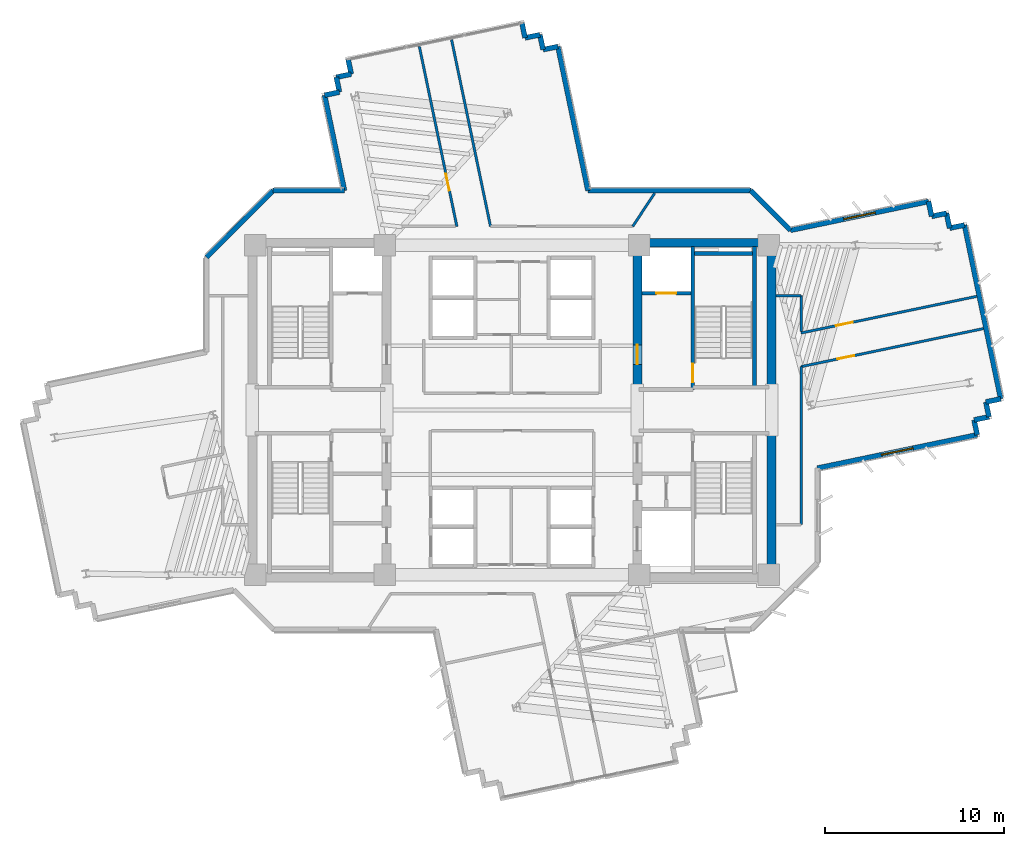
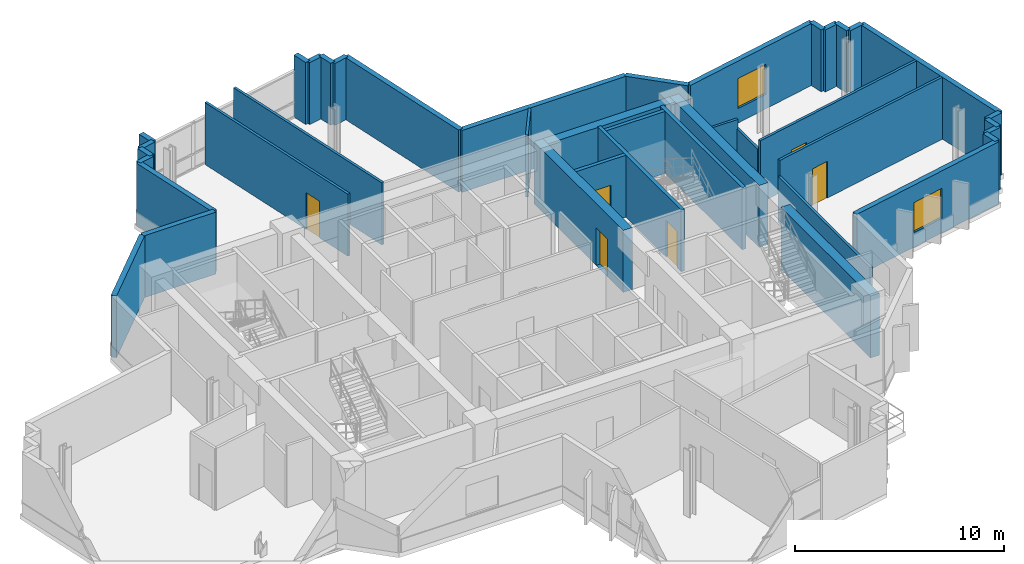
# One storey, part 10 of 14: 41 walls, 6 doors, 2 windows, 8 openings.
"""IFC4 building model written with IfcOpenShell, lengths in metres."""

from ifc_helpers import new_model, si_unit, direction, frame, frame_2d, origin, place, context, subcontext, project, spatial, rectangle, extrude, source, transform, mapped, material, layer, layer_set, type_object, element, fill, save


model = new_model("IFC4")

# Units and contexts
model_context = context("Model", 3, precision=1e-05, world=origin(), true_north=direction((0.0, 1.0)))
body_context = subcontext(model_context, "Body", "Model", "MODEL_VIEW")
ifc_project = project(units=[si_unit("LENGTHUNIT", "METRE"), si_unit("AREAUNIT", "SQUARE_METRE"), si_unit("VOLUMEUNIT", "CUBIC_METRE"), si_unit("PLANEANGLEUNIT", "RADIAN"), si_unit("MASSUNIT", "GRAM", prefix="KILO")], contexts=[model_context])

# Site, building, storey
site_placement = place(None, origin())
site = spatial("IfcSite", under=ifc_project, at=site_placement, CompositionType="ELEMENT")
building_placement = place(site_placement, origin())
building = spatial("IfcBuilding", under=site, at=building_placement, Name="Zahravan Cultural Tower", CompositionType="ELEMENT")
storey_placement = place(building_placement, frame((0.0, 0.0, 159.0)))
storey = spatial("IfcBuildingStorey", under=building, at=storey_placement, Name="L36", CompositionType="ELEMENT", Elevation=159.0)

# Wall, opening, door
ifc_material_1 = material(Name="Concrete C60/75", Category="concrete")
ifc_layer_1 = layer(ifc_material_1, 0.5)
ifc_layer_set_1 = layer_set([ifc_layer_1], Name="Concrete C60/75")
wall_type_1 = type_object("IfcWallType", Name="CW-SHEAR-500-C60", PredefinedType="SHEAR", material=ifc_layer_set_1)
wall_1_placement = place(storey_placement, frame((43.0, 28.050048828125, 0.0), z_axis=(0.0, 0.0, 1.0), x_axis=(0.0, 1.0, 0.0)))
wall_1 = element("IfcWall", 1, at=wall_1_placement, inside=storey, type_object=wall_type_1, Name="L36 Core Shear Wall CW-E-WN-L36", PredefinedType="SHEAR", context=body_context, shape_type="SweptSolid", body=[
    extrude(rectangle(XDim=8.550048828125, YDim=0.5, at=frame_2d((4.27490234375, 0.0))), origin(), (0.0, 0.0, 1.0), 3.6201171875),
])
opening_1_placement = place(wall_1_placement, frame((1.5, 0.0, 0.0)))
opening_1 = element("IfcOpeningElement", 2, at=opening_1_placement, cuts=wall_1, Name="Opening D-L36-06", PredefinedType="OPENING", context=body_context, shape_type="SweptSolid", body=[
    extrude(rectangle(XDim=1.10009765625, YDim=2.199951171875, at=frame_2d((0.550048828125, 1.10009765625))), frame((0.0, 0.260009765625, 0.0), z_axis=(0.0, -1.0, 0.0), x_axis=(1.0, 0.0, 0.0)), (0.0, 0.0, 1.0), 0.52001953125),
])
ifc_material_2 = material(Name="Steel ASTM A572 Grade 50", Category="steel")
door_type_1 = type_object("IfcDoorType", Name="DR-LOBBY-1100", OperationType="NOTDEFINED", PredefinedType="DOOR", material=ifc_material_2)
shared_shape_1 = source(origin(), body_context, "Body", "SweptSolid", [
    extrude(rectangle(XDim=1.10009765625, YDim=2.199951171875, at=frame_2d((0.550048828125, 1.10009765625))), frame((0.0, 0.02490234375, 0.0), z_axis=(0.0, -1.0, 0.0), x_axis=(1.0, 0.0, 0.0)), (0.0, 0.0, 1.0), 0.050048828125),
])
door_1_placement = place(opening_1_placement, origin())
door_1 = element("IfcDoor", 3, at=door_1_placement, inside=storey, type_object=door_type_1, Name="L36 Door D-L36-06", OperationType="SINGLE_SWING_LEFT", OverallHeight=2.199951171875, OverallWidth=1.10009765625, PredefinedType="DOOR", context=body_context, shape_type="MappedRepresentation", body=[
    mapped(shared_shape_1, transform((0.0, 0.0, 0.0), x_axis=(1.0, 0.0, 0.0), y_axis=(0.0, 1.0, 0.0), z_axis=(0.0, 0.0, 1.0), scale=1.0)),
])
fill(opening_1, door_1)

# Wall, opening, window
ifc_material_3 = material(Name="Precast concrete C40/50", Category="concrete")
ifc_layer_2 = layer(ifc_material_3, 0.280029296875)
ifc_layer_set_2 = layer_set([ifc_layer_2], Name="Precast concrete C40/50")
wall_type_2 = type_object("IfcWallType", Name="EW-TC-280", PredefinedType="SOLIDWALL", material=ifc_layer_set_2)
wall_2_placement = place(storey_placement, frame((51.5546875, 37.047119140625, 0.0), z_axis=(0.0, 0.0, 1.0), x_axis=(0.978938136474, 0.204157108515, 0.0)))
wall_2 = element("IfcWall", 4, at=wall_2_placement, inside=storey, type_object=wall_type_2, Name="L36 Exterior Masonry Frame Wall 01", PredefinedType="SOLIDWALL", context=body_context, shape_type="SweptSolid", body=[
    extrude(rectangle(XDim=7.8818359375, YDim=0.280029296875, at=frame_2d((3.94091796875, 0.0))), origin(), (0.0, 0.0, 1.0), 3.6201171875),
])
opening_2_placement = place(wall_2_placement, frame((3.041015625, 0.0, 0.85009765625)))
opening_2 = element("IfcOpeningElement", 5, at=opening_2_placement, cuts=wall_2, Name="Opening WN-02", PredefinedType="OPENING", context=body_context, shape_type="SweptSolid", body=[
    extrude(rectangle(XDim=1.800048828125, YDim=1.75, at=frame_2d((0.89990234375, 0.875))), frame((0.0, 0.14990234375, 0.0), z_axis=(0.0, -1.0, 0.0), x_axis=(1.0, 0.0, 0.0)), (0.0, 0.0, 1.0), 0.300048828125),
])
ifc_material_4 = material(Name="Low-E solar-control double glazing", Category="glass")
window_type = type_object("IfcWindowType", Name="WN-REC-1800X1750", PartitioningType="DOUBLE_PANEL_VERTICAL", PredefinedType="WINDOW", material=ifc_material_4)
shared_shape_2 = source(origin(), body_context, "Body", "SweptSolid", [
    extrude(rectangle(XDim=1.800048828125, YDim=1.75, at=frame_2d((0.89990234375, 0.875))), frame((0.0, 0.030029296875, 0.0), z_axis=(0.0, -1.0, 0.0), x_axis=(1.0, 0.0, 0.0)), (0.0, 0.0, 1.0), 0.06005859375),
])
window_1_placement = place(opening_2_placement, origin())
window_1 = element("IfcWindow", 6, at=window_1_placement, inside=storey, type_object=window_type, Name="L36 Recessed Solar Window 01", OverallHeight=1.75, OverallWidth=1.800048828125, PartitioningType="DOUBLE_PANEL_VERTICAL", PredefinedType="WINDOW", context=body_context, shape_type="MappedRepresentation", body=[
    mapped(shared_shape_2, transform((0.0, 0.0, 0.0), x_axis=(1.0, 0.0, 0.0), y_axis=(0.0, 1.0, 0.0), z_axis=(0.0, 0.0, 1.0), scale=1.0)),
])
fill(opening_2, window_1)

wall_3_placement = place(storey_placement, frame((61.98974609375, 25.61669921875, 0.0), z_axis=(0.0, 0.0, 1.0), x_axis=(-0.978937646314, -0.204159458828, 0.0)))
wall_3 = element("IfcWall", 7, at=wall_3_placement, inside=storey, type_object=wall_type_2, Name="L36 Exterior Masonry Frame Wall 11", PredefinedType="SOLIDWALL", context=body_context, shape_type="SweptSolid", body=[
    extrude(rectangle(XDim=9.121826171875, YDim=0.280029296875, at=frame_2d((4.56103515625, 0.0))), origin(), (0.0, 0.0, 1.0), 3.6201171875),
])
opening_3_placement = place(wall_3_placement, frame((3.660888671875, 0.0, 0.85009765625)))
opening_3 = element("IfcOpeningElement", 8, at=opening_3_placement, cuts=wall_3, Name="Opening WN-02", PredefinedType="OPENING", context=body_context, shape_type="SweptSolid", body=[
    extrude(rectangle(XDim=1.800048828125, YDim=1.75, at=frame_2d((0.89990234375, 0.875))), frame((0.0, 0.14990234375, 0.0), z_axis=(0.0, -1.0, 0.0), x_axis=(1.0, 0.0, 0.0)), (0.0, 0.0, 1.0), 0.300048828125),
])
window_2_placement = place(opening_3_placement, origin())
window_2 = element("IfcWindow", 9, at=window_2_placement, inside=storey, type_object=window_type, Name="L36 Recessed Solar Window 02", OverallHeight=1.75, OverallWidth=1.800048828125, PartitioningType="DOUBLE_PANEL_VERTICAL", PredefinedType="WINDOW", context=body_context, shape_type="MappedRepresentation", body=[
    mapped(shared_shape_2, transform((0.0, 0.0, 0.0), x_axis=(1.0, 0.0, 0.0), y_axis=(0.0, 1.0, 0.0), z_axis=(0.0, 0.0, 1.0), scale=1.0)),
])
fill(opening_3, window_2)

# Wall, opening, door
ifc_material_5 = material(Name="Gypsum plasterboard partition")
ifc_layer_3 = layer(ifc_material_5, 0.139892578125)
ifc_layer_set_3 = layer_set([ifc_layer_3], Name="Gypsum plasterboard partition")
wall_type_3 = type_object("IfcWallType", Name="W-PART-140", PredefinedType="PARTITIONING", material=ifc_layer_set_3)
wall_4_placement = place(storey_placement, frame((30.823486328125, 47.316162109375, 0.0), z_axis=(0.0, 0.0, 1.0), x_axis=(0.204130779611, -0.978943626985, 0.0)))
wall_4 = element("IfcWall", 10, at=wall_4_placement, inside=storey, type_object=wall_type_3, Name="L36 Interior Wall 091", PredefinedType="PARTITIONING", context=body_context, shape_type="SweptSolid", body=[
    extrude(rectangle(XDim=10.2724609375, YDim=0.139892578125, at=frame_2d((5.13623046875, 0.0))), origin(), (0.0, 0.0, 1.0), 3.6201171875),
])
opening_4_placement = place(wall_4_placement, frame((7.271484375, 0.0, 0.0)))
opening_4 = element("IfcOpeningElement", 11, at=opening_4_placement, cuts=wall_4, Name="Opening D-L36-23", PredefinedType="OPENING", context=body_context, shape_type="SweptSolid", body=[
    extrude(rectangle(XDim=0.949951171875, YDim=2.14990234375, at=frame_2d((0.47509765625, 1.074951171875))), frame((0.0, 0.079833984375, 0.0), z_axis=(0.0, -1.0, 0.0), x_axis=(1.0, 0.0, 0.0)), (0.0, 0.0, 1.0), 0.159912109375),
])
ifc_material_6 = material(Name="Anodised bronze-aluminium mullion", Category="aluminium")
door_type_2 = type_object("IfcDoorType", Name="DR-ROOM-950", OperationType="NOTDEFINED", PredefinedType="DOOR", material=ifc_material_6)
shared_shape_3 = source(origin(), body_context, "Body", "SweptSolid", [
    extrude(rectangle(XDim=0.949951171875, YDim=2.14990234375, at=frame_2d((0.47509765625, 1.074951171875))), frame((0.0, 0.02490234375, 0.0), z_axis=(0.0, -1.0, 0.0), x_axis=(1.0, 0.0, 0.0)), (0.0, 0.0, 1.0), 0.050048828125),
])
door_2_placement = place(opening_4_placement, origin())
door_2 = element("IfcDoor", 12, at=door_2_placement, inside=storey, type_object=door_type_2, Name="L36 Door D-L36-23", OperationType="SINGLE_SWING_RIGHT", OverallHeight=2.14990234375, OverallWidth=0.949951171875, PredefinedType="DOOR", context=body_context, shape_type="MappedRepresentation", body=[
    mapped(shared_shape_3, transform((0.0, 0.0, 0.0), x_axis=(1.0, 0.0, 0.0), y_axis=(0.0, 1.0, 0.0), z_axis=(0.0, 0.0, 1.0), scale=1.0)),
])
fill(opening_4, door_2)

wall_5_placement = place(storey_placement, frame((52.150146484375, 29.42822265625, 0.0), z_axis=(0.0, 0.0, 1.0), x_axis=(0.978935516763, 0.204169669688, 0.0)))
wall_5 = element("IfcWall", 13, at=wall_5_placement, inside=storey, type_object=wall_type_3, Name="L36 Interior Wall 095", PredefinedType="PARTITIONING", context=body_context, shape_type="SweptSolid", body=[
    extrude(rectangle(XDim=10.4091796875, YDim=0.139892578125, at=frame_2d((5.20458984375, 0.0))), origin(), (0.0, 0.0, 1.0), 3.6201171875),
])
opening_5_placement = place(wall_5_placement, frame((2.0810546875, 0.0, 0.0)))
opening_5 = element("IfcOpeningElement", 14, at=opening_5_placement, cuts=wall_5, Name="Opening D-L36-20", PredefinedType="OPENING", context=body_context, shape_type="SweptSolid", body=[
    extrude(rectangle(XDim=0.949951171875, YDim=2.14990234375, at=frame_2d((0.47509765625, 1.074951171875))), frame((0.0, 0.079833984375, 0.0), z_axis=(0.0, -1.0, 0.0), x_axis=(1.0, 0.0, 0.0)), (0.0, 0.0, 1.0), 0.159912109375),
])
door_3_placement = place(opening_5_placement, origin())
door_3 = element("IfcDoor", 15, at=door_3_placement, inside=storey, type_object=door_type_2, Name="L36 Door D-L36-20", OperationType="SINGLE_SWING_LEFT", OverallHeight=2.14990234375, OverallWidth=0.949951171875, PredefinedType="DOOR", context=body_context, shape_type="MappedRepresentation", body=[
    mapped(shared_shape_3, transform((0.0, 0.0, 0.0), x_axis=(1.0, 0.0, 0.0), y_axis=(0.0, 1.0, 0.0), z_axis=(0.0, 0.0, 1.0), scale=1.0)),
])
fill(opening_5, door_3)

wall_6_placement = place(storey_placement, frame((61.964599609375, 33.3544921875, 0.0), z_axis=(0.0, 0.0, 1.0), x_axis=(-0.978942518705, -0.204136094483, 0.0)))
wall_6 = element("IfcWall", 16, at=wall_6_placement, inside=storey, type_object=wall_type_3, Name="L36 Interior Wall 097", PredefinedType="PARTITIONING", context=body_context, shape_type="SweptSolid", body=[
    extrude(rectangle(XDim=10.02587890625, YDim=0.139892578125, at=frame_2d((5.012939453125, 0.0))), origin(), (0.0, 0.0, 1.0), 3.6201171875),
])
opening_6_placement = place(wall_6_placement, frame((7.0791015625, 0.0, 0.0)))
opening_6 = element("IfcOpeningElement", 17, at=opening_6_placement, cuts=wall_6, Name="Opening D-L36-21", PredefinedType="OPENING", context=body_context, shape_type="SweptSolid", body=[
    extrude(rectangle(XDim=0.949951171875, YDim=2.14990234375, at=frame_2d((0.47509765625, 1.074951171875))), frame((0.0, 0.079833984375, 0.0), z_axis=(0.0, -1.0, 0.0), x_axis=(1.0, 0.0, 0.0)), (0.0, 0.0, 1.0), 0.159912109375),
])
door_4_placement = place(opening_6_placement, origin())
door_4 = element("IfcDoor", 18, at=door_4_placement, inside=storey, type_object=door_type_2, Name="L36 Door D-L36-21", OperationType="SINGLE_SWING_RIGHT", OverallHeight=2.14990234375, OverallWidth=0.949951171875, PredefinedType="DOOR", context=body_context, shape_type="MappedRepresentation", body=[
    mapped(shared_shape_3, transform((0.0, 0.0, 0.0), x_axis=(1.0, 0.0, 0.0), y_axis=(0.0, 1.0, 0.0), z_axis=(0.0, 0.0, 1.0), scale=1.0)),
])
fill(opening_6, door_4)

ifc_material_7 = material(Name="Concrete C45/55", Category="concrete")
ifc_layer_4 = layer(ifc_material_7, 0.199951171875)
ifc_layer_set_4 = layer_set([ifc_layer_4], Name="Concrete C45/55")
wall_type_4 = type_object("IfcWallType", Name="W-SHAFT-200", PredefinedType="SOLIDWALL", material=ifc_layer_set_4)
wall_7_placement = place(storey_placement, frame((46.10009765625, 28.14990234375, 0.0), z_axis=(0.0, 0.0, 1.0), x_axis=(0.0, 1.0, 0.0)))
wall_7 = element("IfcWall", 19, at=wall_7_placement, inside=storey, type_object=wall_type_4, Name="L36 Interior Wall 008", PredefinedType="SOLIDWALL", context=body_context, shape_type="SweptSolid", body=[
    extrude(rectangle(XDim=8.0, YDim=0.199951171875, at=frame_2d((4.0, 0.0))), origin(), (0.0, 0.0, 1.0), 3.6201171875),
])
opening_7_placement = place(wall_7_placement, frame((0.39990234375, 0.0, 0.0)))
opening_7 = element("IfcOpeningElement", 20, at=opening_7_placement, cuts=wall_7, Name="Opening D-L36-02", PredefinedType="OPENING", context=body_context, shape_type="SweptSolid", body=[
    extrude(rectangle(XDim=1.050048828125, YDim=2.14990234375, at=frame_2d((0.52490234375, 1.074951171875))), frame((0.0, 0.10986328125, 0.0), z_axis=(0.0, -1.0, 0.0), x_axis=(1.0, 0.0, 0.0)), (0.0, 0.0, 1.0), 0.219970703125),
])
door_type_3 = type_object("IfcDoorType", Name="DR-STAIR-1050", OperationType="NOTDEFINED", PredefinedType="DOOR", material=ifc_material_2)
shared_shape_4 = source(origin(), body_context, "Body", "SweptSolid", [
    extrude(rectangle(XDim=1.050048828125, YDim=2.14990234375, at=frame_2d((0.52490234375, 1.074951171875))), frame((0.0, 0.02490234375, 0.0), z_axis=(0.0, -1.0, 0.0), x_axis=(1.0, 0.0, 0.0)), (0.0, 0.0, 1.0), 0.050048828125),
])
door_5_placement = place(opening_7_placement, origin())
door_5 = element("IfcDoor", 21, at=door_5_placement, inside=storey, type_object=door_type_3, Name="L36 Door D-L36-02", OperationType="SINGLE_SWING_LEFT", OverallHeight=2.14990234375, OverallWidth=1.050048828125, PredefinedType="DOOR", context=body_context, shape_type="MappedRepresentation", body=[
    mapped(shared_shape_4, transform((0.0, 0.0, 0.0), x_axis=(1.0, 0.0, 0.0), y_axis=(0.0, 1.0, 0.0), z_axis=(0.0, 0.0, 1.0), scale=1.0)),
])
fill(opening_7, door_5)

wall_8_placement = place(storey_placement, frame((43.25, 33.52001953125, 0.0), z_axis=(0.0, 0.0, 1.0), x_axis=(1.0, 0.0, 0.0)))
wall_8 = element("IfcWall", 22, at=wall_8_placement, inside=storey, type_object=wall_type_4, Name="L36 Interior Wall 022", PredefinedType="SOLIDWALL", context=body_context, shape_type="SweptSolid", body=[
    extrude(rectangle(XDim=2.75, YDim=0.199951171875, at=frame_2d((1.375, 0.0))), origin(), (0.0, 0.0, 1.0), 3.6201171875),
])
opening_8_placement = place(wall_8_placement, frame((0.820068359375, 0.0, 0.0)))
opening_8 = element("IfcOpeningElement", 23, at=opening_8_placement, cuts=wall_8, Name="Opening LD-L36-02", PredefinedType="OPENING", context=body_context, shape_type="SweptSolid", body=[
    extrude(rectangle(XDim=1.10009765625, YDim=2.14990234375, at=frame_2d((0.550048828125, 1.074951171875))), frame((0.0, 0.10986328125, 0.0), z_axis=(0.0, -1.0, 0.0), x_axis=(1.0, 0.0, 0.0)), (0.0, 0.0, 1.0), 0.219970703125),
])
door_type_4 = type_object("IfcDoorType", Name="DR-LIFT-1100", OperationType="DOUBLE_DOOR_SLIDING", PredefinedType="DOOR", material=ifc_material_2)
shared_shape_5 = source(origin(), body_context, "Body", "SweptSolid", [
    extrude(rectangle(XDim=1.10009765625, YDim=2.14990234375, at=frame_2d((0.550048828125, 1.074951171875))), frame((0.0, 0.02490234375, 0.0), z_axis=(0.0, -1.0, 0.0), x_axis=(1.0, 0.0, 0.0)), (0.0, 0.0, 1.0), 0.050048828125),
])
door_6_placement = place(opening_8_placement, origin())
door_6 = element("IfcDoor", 24, at=door_6_placement, inside=storey, type_object=door_type_4, Name="L36 Door LD-L36-02", OperationType="DOUBLE_DOOR_SLIDING", OverallHeight=2.14990234375, OverallWidth=1.10009765625, PredefinedType="DOOR", context=body_context, shape_type="MappedRepresentation", body=[
    mapped(shared_shape_5, transform((0.0, 0.0, 0.0), x_axis=(1.0, 0.0, 0.0), y_axis=(0.0, 1.0, 0.0), z_axis=(0.0, 0.0, 1.0), scale=1.0)),
])
fill(opening_8, door_6)

# Walls
shared_shape_6 = source(origin(), body_context, "Body", "SweptSolid", [
    extrude(rectangle(XDim=8.550048828125, YDim=0.5, at=frame_2d((4.27490234375, 0.0))), origin(), (0.0, 0.0, 1.0), 3.6201171875),
])
for number, where, z_axis, x_axis, name in (
    (25, (50.5, 17.39990234375, 0.0), (0.0, 0.0, 1.0), (0.0, 1.0, 0.0), "L36 Core Shear Wall CW-E-ES-L36"),
    (26, (50.5, 28.050048828125, 0.0), (0.0, 0.0, 1.0), (0.0, 1.0, 0.0), "L36 Core Shear Wall CW-E-EN-L36"),
):
    element("IfcWall", number, at=place(storey_placement, frame(where, z_axis=z_axis, x_axis=x_axis)), inside=storey, type_object=wall_type_1, Name=name, PredefinedType="SHEAR", context=body_context, shape_type="MappedRepresentation", body=[
        mapped(shared_shape_6, transform((0.0, 0.0, 0.0), x_axis=(1.0, 0.0, 0.0), y_axis=(0.0, 1.0, 0.0), z_axis=(0.0, 0.0, 1.0), scale=1.0)),
    ])
shared_shape_7 = source(origin(), body_context, "Body", "SweptSolid", [
    extrude(rectangle(XDim=7.0, YDim=0.5, at=frame_2d((3.5, 0.0))), origin(), (0.0, 0.0, 1.0), 3.6201171875),
])
wall_9_placement = place(storey_placement, frame((43.25, 36.35009765625, 0.0), z_axis=(0.0, 0.0, 1.0), x_axis=(1.0, 0.0, 0.0)))
element("IfcWall", 27, at=wall_9_placement, inside=storey, type_object=wall_type_1, Name="L36 Core Shear Wall CW-E-N-L36", PredefinedType="SHEAR", context=body_context, shape_type="MappedRepresentation", body=[
    mapped(shared_shape_7, transform((0.0, 0.0, 0.0), x_axis=(1.0, 0.0, 0.0), y_axis=(0.0, 1.0, 0.0), z_axis=(0.0, 0.0, 1.0), scale=1.0)),
])
shared_shape_8 = source(origin(), body_context, "Body", "SweptSolid", [
    extrude(rectangle(XDim=0.85009765625, YDim=0.280029296875, at=frame_2d((0.425048828125, 0.0))), origin(), (0.0, 0.0, 1.0), 3.6201171875),
])
for number, where, z_axis, x_axis, name in (
    (28, (61.81640625, 26.448974609375, 0.0), (0.0, 0.0, 1.0), (0.203896913579, -0.97899236393, 0.0), "L36 Exterior Masonry Frame Wall 10"),
    (29, (26.186279296875, 45.59814453125, 0.0), (0.0, 0.0, 1.0), (0.97893500384, 0.204172128991, 0.0), "L36 Exterior Masonry Frame Wall 44"),
    (30, (37.735107421875, 47.138427734375, 0.0), (0.0, 0.0, 1.0), (0.97893500384, 0.204172128991, 0.0), "L36 Exterior Masonry Frame Wall 49"),
):
    element("IfcWall", number, at=place(storey_placement, frame(where, z_axis=z_axis, x_axis=x_axis)), inside=storey, type_object=wall_type_2, Name=name, PredefinedType="SOLIDWALL", context=body_context, shape_type="MappedRepresentation", body=[
        mapped(shared_shape_8, transform((0.0, 0.0, 0.0), x_axis=(1.0, 0.0, 0.0), y_axis=(0.0, 1.0, 0.0), z_axis=(0.0, 0.0, 1.0), scale=1.0)),
    ])
shared_shape_9 = source(origin(), body_context, "Body", "SweptSolid", [
    extrude(rectangle(XDim=5.258056640625, YDim=0.280029296875, at=frame_2d((2.62890625, 0.0))), origin(), (0.0, 0.0, 1.0), 3.6201171875),
])
wall_10_placement = place(storey_placement, frame((18.93994140625, 35.5419921875, 0.0), z_axis=(0.0, 0.0, 1.0), x_axis=(0.707106781187, 0.707106781187, 0.0)))
element("IfcWall", 31, at=wall_10_placement, inside=storey, type_object=wall_type_2, Name="L36 Exterior Masonry Frame Wall 39", PredefinedType="SOLIDWALL", context=body_context, shape_type="MappedRepresentation", body=[
    mapped(shared_shape_9, transform((0.0, 0.0, 0.0), x_axis=(1.0, 0.0, 0.0), y_axis=(0.0, 1.0, 0.0), z_axis=(0.0, 0.0, 1.0), scale=1.0)),
])
shared_shape_10 = source(origin(), body_context, "Body", "SweptSolid", [
    extrude(rectangle(XDim=0.849853515625, YDim=0.280029296875, at=frame_2d((0.4248046875, 0.0))), origin(), (0.0, 0.0, 1.0), 3.6201171875),
])
for number, where, z_axis, x_axis, name in (
    (32, (59.2705078125, 38.65625, 0.0), (0.0, 0.0, 1.0), (0.203954254112, -0.978980419738, 0.0), "L36 Exterior Masonry Frame Wall 02"),
    (33, (59.44384765625, 37.82421875, 0.0), (0.0, 0.0, 1.0), (0.978923028084, 0.20422954019, 0.0), "L36 Exterior Masonry Frame Wall 03"),
    (34, (60.44970703125, 37.16552734375, 0.0), (0.0, 0.0, 1.0), (0.978923028084, 0.20422954019, 0.0), "L36 Exterior Masonry Frame Wall 05"),
    (35, (63.306884765625, 27.628173828125, 0.0), (0.0, 0.0, 1.0), (-0.978923028084, -0.20422954019, 0.0), "L36 Exterior Masonry Frame Wall 07"),
    (36, (62.474853515625, 27.45458984375, 0.0), (0.0, 0.0, 1.0), (0.20422954019, -0.978923028084, 0.0), "L36 Exterior Masonry Frame Wall 08"),
    (37, (62.6484375, 26.62255859375, 0.0), (0.0, 0.0, 1.0), (-0.978923028084, -0.20422954019, 0.0), "L36 Exterior Masonry Frame Wall 09"),
    (38, (25.52783203125, 44.592529296875, 0.0), (0.0, 0.0, 1.0), (0.978923028084, 0.20422954019, 0.0), "L36 Exterior Masonry Frame Wall 42"),
    (39, (26.35986328125, 44.76611328125, 0.0), (0.0, 0.0, 1.0), (-0.20422954019, 0.978923028084, 0.0), "L36 Exterior Masonry Frame Wall 43"),
    (40, (27.0185546875, 45.771728515625, 0.0), (0.0, 0.0, 1.0), (-0.20422954019, 0.978923028084, 0.0), "L36 Exterior Masonry Frame Wall 45"),
    (41, (36.555908203125, 48.629150390625, 0.0), (0.0, 0.0, 1.0), (0.20422954019, -0.978923028084, 0.0), "L36 Exterior Masonry Frame Wall 46"),
    (42, (36.7294921875, 47.797119140625, 0.0), (0.0, 0.0, 1.0), (0.978980419738, 0.203954254112, 0.0), "L36 Exterior Masonry Frame Wall 47"),
    (43, (37.5615234375, 47.970458984375, 0.0), (0.0, 0.0, 1.0), (0.20422954019, -0.978923028084, 0.0), "L36 Exterior Masonry Frame Wall 48"),
):
    element("IfcWall", number, at=place(storey_placement, frame(where, z_axis=z_axis, x_axis=x_axis)), inside=storey, type_object=wall_type_2, Name=name, PredefinedType="SOLIDWALL", context=body_context, shape_type="MappedRepresentation", body=[
        mapped(shared_shape_10, transform((0.0, 0.0, 0.0), x_axis=(1.0, 0.0, 0.0), y_axis=(0.0, 1.0, 0.0), z_axis=(0.0, 0.0, 1.0), scale=1.0)),
    ])
shared_shape_11 = source(origin(), body_context, "Body", "SweptSolid", [
    extrude(rectangle(XDim=9.919921875, YDim=0.280029296875, at=frame_2d((4.9599609375, 0.0))), origin(), (0.0, 0.0, 1.0), 3.6201171875),
])
wall_11_placement = place(storey_placement, frame((61.28173828125, 37.339111328125, 0.0), z_axis=(0.0, 0.0, 1.0), x_axis=(0.204150812873, -0.978939449406, 0.0)))
element("IfcWall", 44, at=wall_11_placement, inside=storey, type_object=wall_type_2, Name="L36 Exterior Masonry Frame Wall 06", PredefinedType="SOLIDWALL", context=body_context, shape_type="MappedRepresentation", body=[
    mapped(shared_shape_11, transform((0.0, 0.0, 0.0), x_axis=(1.0, 0.0, 0.0), y_axis=(0.0, 1.0, 0.0), z_axis=(0.0, 0.0, 1.0), scale=1.0)),
])
shared_shape_12 = source(origin(), body_context, "Body", "SweptSolid", [
    extrude(rectangle(XDim=0.850341796875, YDim=0.280029296875, at=frame_2d((0.42529296875, 0.0))), origin(), (0.0, 0.0, 1.0), 3.6201171875),
])
wall_12_placement = place(storey_placement, frame((60.27587890625, 37.997802734375, 0.0), z_axis=(0.0, 0.0, 1.0), x_axis=(0.204447295999, -0.978877573121, 0.0)))
element("IfcWall", 45, at=wall_12_placement, inside=storey, type_object=wall_type_2, Name="L36 Exterior Masonry Frame Wall 04", PredefinedType="SOLIDWALL", context=body_context, shape_type="MappedRepresentation", body=[
    mapped(shared_shape_12, transform((0.0, 0.0, 0.0), x_axis=(1.0, 0.0, 0.0), y_axis=(0.0, 1.0, 0.0), z_axis=(0.0, 0.0, 1.0), scale=1.0)),
])
shared_shape_13 = source(origin(), body_context, "Body", "SweptSolid", [
    extrude(rectangle(XDim=3.12939453125, YDim=0.280029296875, at=frame_2d((1.564697265625, 0.0))), origin(), (0.0, 0.0, 1.0), 3.6201171875),
])
wall_13_placement = place(storey_placement, frame((49.342041015625, 39.260009765625, 0.0), z_axis=(0.0, 0.0, 1.0), x_axis=(0.707067771627, -0.707145788594, 0.0)))
element("IfcWall", 46, at=wall_13_placement, inside=storey, type_object=wall_type_2, Name="L36 Exterior Masonry Frame Wall 52", PredefinedType="SOLIDWALL", context=body_context, shape_type="MappedRepresentation", body=[
    mapped(shared_shape_13, transform((0.0, 0.0, 0.0), x_axis=(1.0, 0.0, 0.0), y_axis=(0.0, 1.0, 0.0), z_axis=(0.0, 0.0, 1.0), scale=1.0)),
])
shared_shape_14 = source(origin(), body_context, "Body", "SweptSolid", [
    extrude(rectangle(XDim=3.98193359375, YDim=0.280029296875, at=frame_2d((1.990966796875, 0.0))), origin(), (0.0, 0.0, 1.0), 3.6201171875),
])
wall_14_placement = place(storey_placement, frame((22.657958984375, 39.260009765625, 0.0), z_axis=(0.0, 0.0, 1.0), x_axis=(1.0, 0.0, 0.0)))
element("IfcWall", 47, at=wall_14_placement, inside=storey, type_object=wall_type_2, Name="L36 Exterior Masonry Frame Wall 40", PredefinedType="SOLIDWALL", context=body_context, shape_type="MappedRepresentation", body=[
    mapped(shared_shape_14, transform((0.0, 0.0, 0.0), x_axis=(1.0, 0.0, 0.0), y_axis=(0.0, 1.0, 0.0), z_axis=(0.0, 0.0, 1.0), scale=1.0)),
])
shared_shape_15 = source(origin(), body_context, "Body", "SweptSolid", [
    extrude(rectangle(XDim=5.447265625, YDim=0.280029296875, at=frame_2d((2.7236328125, 0.0))), origin(), (0.0, 0.0, 1.0), 3.6201171875),
])
wall_15_placement = place(storey_placement, frame((26.639892578125, 39.260009765625, 0.0), z_axis=(0.0, 0.0, 1.0), x_axis=(-0.204151126022, 0.978939384101, 0.0)))
element("IfcWall", 48, at=wall_15_placement, inside=storey, type_object=wall_type_2, Name="L36 Exterior Masonry Frame Wall 41", PredefinedType="SOLIDWALL", context=body_context, shape_type="MappedRepresentation", body=[
    mapped(shared_shape_15, transform((0.0, 0.0, 0.0), x_axis=(1.0, 0.0, 0.0), y_axis=(0.0, 1.0, 0.0), z_axis=(0.0, 0.0, 1.0), scale=1.0)),
])
shared_shape_16 = source(origin(), body_context, "Body", "SweptSolid", [
    extrude(rectangle(XDim=8.225341796875, YDim=0.280029296875, at=frame_2d((4.11279296875, 0.0))), origin(), (0.0, 0.0, 1.0), 3.6201171875),
])
wall_16_placement = place(storey_placement, frame((38.5673828125, 47.31201171875, 0.0), z_axis=(0.0, 0.0, 1.0), x_axis=(0.204152195211, -0.978939161128, 0.0)))
element("IfcWall", 49, at=wall_16_placement, inside=storey, type_object=wall_type_2, Name="L36 Exterior Masonry Frame Wall 50", PredefinedType="SOLIDWALL", context=body_context, shape_type="MappedRepresentation", body=[
    mapped(shared_shape_16, transform((0.0, 0.0, 0.0), x_axis=(1.0, 0.0, 0.0), y_axis=(0.0, 1.0, 0.0), z_axis=(0.0, 0.0, 1.0), scale=1.0)),
])
shared_shape_17 = source(origin(), body_context, "Body", "SweptSolid", [
    extrude(rectangle(XDim=9.095458984375, YDim=0.280029296875, at=frame_2d((4.5478515625, 0.0))), origin(), (0.0, 0.0, 1.0), 3.6201171875),
])
wall_17_placement = place(storey_placement, frame((40.24658203125, 39.260009765625, 0.0), z_axis=(0.0, 0.0, 1.0), x_axis=(1.0, 0.0, 0.0)))
element("IfcWall", 50, at=wall_17_placement, inside=storey, type_object=wall_type_2, Name="L36 Exterior Masonry Frame Wall 51", PredefinedType="SOLIDWALL", context=body_context, shape_type="MappedRepresentation", body=[
    mapped(shared_shape_17, transform((0.0, 0.0, 0.0), x_axis=(1.0, 0.0, 0.0), y_axis=(0.0, 1.0, 0.0), z_axis=(0.0, 0.0, 1.0), scale=1.0)),
])
shared_shape_18 = source(origin(), body_context, "Body", "SweptSolid", [
    extrude(rectangle(XDim=7.869873046875, YDim=0.199951171875, at=frame_2d((3.93505859375, 0.0))), origin(), (0.0, 0.0, 1.0), 3.6201171875),
])
wall_18_placement = place(storey_placement, frame((49.550048828125, 28.280029296875, 0.0), z_axis=(0.0, 0.0, 1.0), x_axis=(0.0, 1.0, 0.0)))
element("IfcWall", 51, at=wall_18_placement, inside=storey, type_object=wall_type_4, Name="L36 Interior Wall 004", PredefinedType="SOLIDWALL", context=body_context, shape_type="MappedRepresentation", body=[
    mapped(shared_shape_18, transform((0.0, 0.0, 0.0), x_axis=(1.0, 0.0, 0.0), y_axis=(0.0, 1.0, 0.0), z_axis=(0.0, 0.0, 1.0), scale=1.0)),
])
shared_shape_19 = source(origin(), body_context, "Body", "SweptSolid", [
    extrude(rectangle(XDim=3.25, YDim=0.199951171875, at=frame_2d((1.625, 0.0))), origin(), (0.0, 0.0, 1.0), 3.6201171875),
])
wall_19_placement = place(storey_placement, frame((46.199951171875, 35.75, 0.0), z_axis=(0.0, 0.0, 1.0), x_axis=(1.0, 0.0, 0.0)))
element("IfcWall", 52, at=wall_19_placement, inside=storey, type_object=wall_type_4, Name="L36 Interior Wall 018", PredefinedType="SOLIDWALL", context=body_context, shape_type="MappedRepresentation", body=[
    mapped(shared_shape_19, transform((0.0, 0.0, 0.0), x_axis=(1.0, 0.0, 0.0), y_axis=(0.0, 1.0, 0.0), z_axis=(0.0, 0.0, 1.0), scale=1.0)),
])
shared_shape_20 = source(origin(), body_context, "Body", "SweptSolid", [
    extrude(rectangle(XDim=1.39404296875, YDim=0.139892578125, at=frame_2d((0.697021484375, 0.0))), origin(), (0.0, 0.0, 1.0), 3.6201171875),
])
wall_20_placement = place(storey_placement, frame((52.14892578125, 33.39892578125, 0.0), z_axis=(0.0, 0.0, 1.0), x_axis=(-0.999999754632, 0.000700525222, 0.0)))
element("IfcWall", 53, at=wall_20_placement, inside=storey, type_object=wall_type_3, Name="L36 Interior Wall 096", PredefinedType="PARTITIONING", context=body_context, shape_type="MappedRepresentation", body=[
    mapped(shared_shape_20, transform((0.0, 0.0, 0.0), x_axis=(1.0, 0.0, 0.0), y_axis=(0.0, 1.0, 0.0), z_axis=(0.0, 0.0, 1.0), scale=1.0)),
])
shared_shape_21 = source(origin(), body_context, "Body", "SweptSolid", [
    extrude(rectangle(XDim=10.656005859375, YDim=0.139892578125, at=frame_2d((5.328125, 0.0))), origin(), (0.0, 0.0, 1.0), 3.6201171875),
])
wall_21_placement = place(storey_placement, frame((34.800048828125, 37.260009765625, 0.0), z_axis=(0.0, 0.0, 1.0), x_axis=(-0.204159189901, 0.978937702399, 0.0)))
element("IfcWall", 54, at=wall_21_placement, inside=storey, type_object=wall_type_3, Name="L36 Interior Wall 089", PredefinedType="PARTITIONING", context=body_context, shape_type="MappedRepresentation", body=[
    mapped(shared_shape_21, transform((0.0, 0.0, 0.0), x_axis=(1.0, 0.0, 0.0), y_axis=(0.0, 1.0, 0.0), z_axis=(0.0, 0.0, 1.0), scale=1.0)),
])
shared_shape_22 = source(origin(), body_context, "Body", "SweptSolid", [
    extrude(rectangle(XDim=2.22412109375, YDim=0.139892578125, at=frame_2d((1.112060546875, 0.0))), origin(), (0.0, 0.0, 1.0), 3.6201171875),
])
wall_22_placement = place(storey_placement, frame((43.969482421875, 39.114990234375, 0.0), z_axis=(0.0, 0.0, 1.0), x_axis=(-0.551783828078, -0.833987174405, 0.0)))
element("IfcWall", 55, at=wall_22_placement, inside=storey, type_object=wall_type_3, Name="L36 Interior Wall 090", PredefinedType="PARTITIONING", context=body_context, shape_type="MappedRepresentation", body=[
    mapped(shared_shape_22, transform((0.0, 0.0, 0.0), x_axis=(1.0, 0.0, 0.0), y_axis=(0.0, 1.0, 0.0), z_axis=(0.0, 0.0, 1.0), scale=1.0)),
])
shared_shape_23 = source(origin(), body_context, "Body", "SweptSolid", [
    extrude(rectangle(XDim=8.820556640625, YDim=0.139892578125, at=frame_2d((4.41015625, 0.0))), origin(), (0.0, 0.0, 1.0), 2.693115234375),
])
wall_23_placement = place(storey_placement, frame((52.149658203125, 20.607666015625, 0.0), z_axis=(0.0, 0.0, 1.0), x_axis=(2.7678596e-05, 0.999999999617, 0.0)))
element("IfcWall", 56, at=wall_23_placement, inside=storey, type_object=wall_type_3, Name="L36 Interior Wall 094", PredefinedType="PARTITIONING", context=body_context, shape_type="MappedRepresentation", body=[
    mapped(shared_shape_23, transform((0.0, 0.0, 0.0), x_axis=(1.0, 0.0, 0.0), y_axis=(0.0, 1.0, 0.0), z_axis=(0.0, 0.0, 1.0), scale=1.0)),
])
shared_shape_24 = source(origin(), body_context, "Body", "SweptSolid", [
    extrude(rectangle(XDim=2.014404296875, YDim=0.139892578125, at=frame_2d((1.00732421875, 0.0))), origin(), (0.0, 0.0, 1.0), 3.0791015625),
])
wall_24_placement = place(storey_placement, frame((52.14990234375, 31.384521484375, 0.0), z_axis=(0.0, 0.0, 1.0), x_axis=(-0.000484789665, 0.999999882489, 0.0)))
element("IfcWall", 57, at=wall_24_placement, inside=storey, type_object=wall_type_3, Name="L36 Interior Wall 098", PredefinedType="PARTITIONING", context=body_context, shape_type="MappedRepresentation", body=[
    mapped(shared_shape_24, transform((0.0, 0.0, 0.0), x_axis=(1.0, 0.0, 0.0), y_axis=(0.0, 1.0, 0.0), z_axis=(0.0, 0.0, 1.0), scale=1.0)),
])

save(model, "model.ifc")
